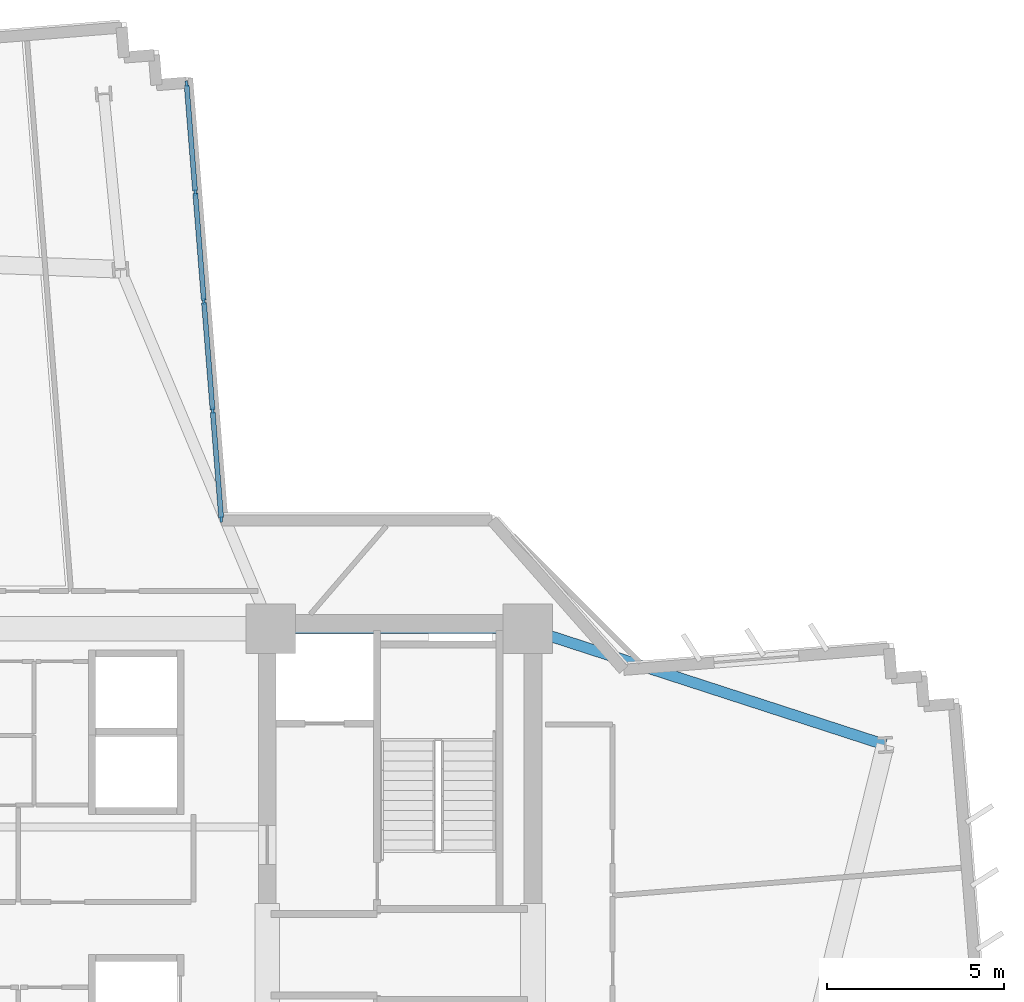
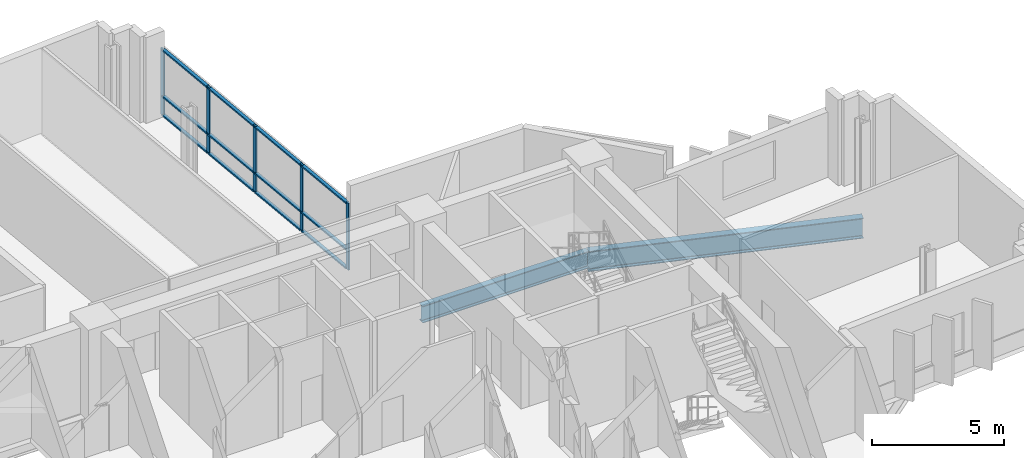
# One storey, part 4 of 15: 17 members, 2 beams, 1 element without a shape of its own.
"""IFC4 building model written with IfcOpenShell, lengths in metres."""

from ifc_helpers import new_model, si_unit, direction, frame, origin, origin_2d, place, context, subcontext, project, spatial, rectangle, i_section, extrude, source, transform, mapped, material, layer, layer_set, material_profile, profile_set, type_object, element, aggregate, save


model = new_model("IFC4")

# Units and contexts
model_context = context("Model", 3, precision=1e-05, world=origin(), true_north=direction((0.0, 1.0)))
body_context = subcontext(model_context, "Body", "Model", "MODEL_VIEW")
ifc_project = project(units=[si_unit("LENGTHUNIT", "METRE"), si_unit("AREAUNIT", "SQUARE_METRE"), si_unit("VOLUMEUNIT", "CUBIC_METRE"), si_unit("PLANEANGLEUNIT", "RADIAN"), si_unit("MASSUNIT", "GRAM", prefix="KILO")], contexts=[model_context])

# Site, building, storey
site_placement = place(None, origin())
site = spatial("IfcSite", under=ifc_project, at=site_placement, CompositionType="ELEMENT")
building_placement = place(site_placement, origin())
building = spatial("IfcBuilding", under=site, at=building_placement, Name="Zahravan Cultural Tower", CompositionType="ELEMENT")
storey_placement = place(building_placement, frame((0.0, 0.0, 79.5)))
storey = spatial("IfcBuildingStorey", under=building, at=storey_placement, Name="L17", CompositionType="ELEMENT", Elevation=79.5)

# Beams
ifc_material_1 = material(Name="Steel ASTM A992 Grade 50", Category="steel")
ifc_material_profile_1 = material_profile(ifc_material_1, i_section(OverallWidth=0.26611328125, OverallDepth=0.780029296875, WebThickness=0.0166015625, FlangeThickness=0.030029296875, FilletRadius=0.01904296875, at=origin_2d()), Name="W30X148")
ifc_profile_set_1 = profile_set([ifc_material_profile_1], Name="Steel ASTM A992 Grade 50")
beam_type_1 = type_object("IfcBeamType", Name="BM-G-W30X148", PredefinedType="BEAM", material=ifc_profile_set_1)
shared_shape_1 = source(origin(), body_context, "Body", "SweptSolid", [
    extrude(i_section(OverallWidth=0.26611328125, OverallDepth=0.780029296875, WebThickness=0.0166015625, FlangeThickness=0.030029296875, FilletRadius=0.01904296875, at=origin_2d()), origin(), (0.0, 0.0, 1.0), 7.25),
])
beam_1_placement = place(storey_placement, frame((43.10009765625, 36.199951171875, -0.639892578125), z_axis=(1.0, 0.0, 0.0), x_axis=(0.0, 1.0, 0.0)))
element("IfcBeam", 1, at=beam_1_placement, inside=storey, type_object=beam_type_1, Name="L17 Beam BG-L17-05", PredefinedType="BEAM", context=body_context, shape_type="MappedRepresentation", body=[
    mapped(shared_shape_1, transform((0.0, 0.0, 0.0), x_axis=(1.0, 0.0, 0.0), y_axis=(0.0, 1.0, 0.0), z_axis=(0.0, 0.0, 1.0), scale=1.0)),
])
ifc_material_profile_2 = material_profile(ifc_material_1, i_section(OverallWidth=0.30908203125, OverallDepth=0.931884765625, WebThickness=0.02099609375, FlangeThickness=0.034423828125, FilletRadius=0.02392578125, at=origin_2d()), Name="W36X210")
ifc_profile_set_2 = profile_set([ifc_material_profile_2], Name="Steel ASTM A992 Grade 50")
beam_type_2 = type_object("IfcBeamType", Name="BM-G-W36X210", PredefinedType="BEAM", material=ifc_profile_set_2)
shared_shape_2 = source(origin(), body_context, "Body", "SweptSolid", [
    extrude(i_section(OverallWidth=0.30908203125, OverallDepth=0.931884765625, WebThickness=0.02099609375, FlangeThickness=0.034423828125, FilletRadius=0.02392578125, at=origin_2d()), origin(), (0.0, 0.0, 1.0), 10.615966796875),
])
beam_2_placement = place(storey_placement, frame((50.35009765625, 36.199951171875, -0.716064453125), z_axis=(0.951063640083, -0.30899506875, 0.0), x_axis=(0.30899506875, 0.951063640083, 0.0)))
element("IfcBeam", 2, at=beam_2_placement, inside=storey, type_object=beam_type_2, Name="L17 Beam BG-L17-11", PredefinedType="BEAM", context=body_context, shape_type="MappedRepresentation", body=[
    mapped(shared_shape_2, transform((0.0, 0.0, 0.0), x_axis=(1.0, 0.0, 0.0), y_axis=(0.0, 1.0, 0.0), z_axis=(0.0, 0.0, 1.0), scale=1.0)),
])

# Curtain wall, members
ifc_material_2 = material(Name="Anodised bronze-aluminium mullion", Category="aluminium")
ifc_layer = layer(ifc_material_2, 0.179931640625)
ifc_layer_set = layer_set([ifc_layer], Name="Anodised bronze-aluminium mullion")
curtain_wall_type = type_object("IfcCurtainWallType", Name="CW-SYS-3", PredefinedType="USERDEFINED", material=ifc_layer_set)
curtain_wall_placement = place(storey_placement, origin())
curtain_wall = element("IfcCurtainWall", 3, at=curtain_wall_placement, inside=storey, type_object=curtain_wall_type, Name="L17 Recessed Curtain Wall CW-3.2", ObjectType="RECESSED GLAZING", PredefinedType="USERDEFINED")
ifc_material_profile_3 = material_profile(ifc_material_2, rectangle(XDim=0.070068359375, YDim=0.179931640625, at=origin_2d()), Name="AL-M70X180")
ifc_profile_set_3 = profile_set([ifc_material_profile_3], Name="Anodised bronze-aluminium mullion")
member_type_1 = type_object("IfcMemberType", Name="CWM-CW-3", PredefinedType="MULLION", material=ifc_profile_set_3)
shared_shape_3 = source(origin(), body_context, "Body", "SweptSolid", [
    extrude(rectangle(XDim=0.070068359375, YDim=0.179931640625, at=origin_2d()), origin(), (0.0, 0.0, 1.0), 3.070068359375),
])
member_1_placement = place(storey_placement, frame((40.720947265625, 51.578125, 0.0), z_axis=(0.0, 0.0, 1.0), x_axis=(0.996834749139, 0.079501464817, 0.0)))
member_1 = element("IfcMember", 4, at=member_1_placement, type_object=member_type_1, Name="CW-3 mullion 1", PredefinedType="MULLION", context=body_context, shape_type="MappedRepresentation", body=[
    mapped(shared_shape_3, transform((0.0, 0.0, 0.0), x_axis=(1.0, 0.0, 0.0), y_axis=(0.0, 1.0, 0.0), z_axis=(0.0, 0.0, 1.0), scale=1.0)),
])
member_2_placement = place(storey_placement, frame((40.964599609375, 48.524658203125, 0.0), z_axis=(0.0, 0.0, 1.0), x_axis=(0.996834749139, 0.079501464817, 0.0)))
member_2 = element("IfcMember", 5, at=member_2_placement, type_object=member_type_1, Name="CW-3 mullion 2", PredefinedType="MULLION", context=body_context, shape_type="MappedRepresentation", body=[
    mapped(shared_shape_3, transform((0.0, 0.0, 0.0), x_axis=(1.0, 0.0, 0.0), y_axis=(0.0, 1.0, 0.0), z_axis=(0.0, 0.0, 1.0), scale=1.0)),
])
member_3_placement = place(storey_placement, frame((41.210693359375, 45.4365234375, 0.0), z_axis=(0.0, 0.0, 1.0), x_axis=(0.996834749139, 0.079501464817, 0.0)))
member_3 = element("IfcMember", 6, at=member_3_placement, type_object=member_type_1, Name="CW-3 mullion 3", PredefinedType="MULLION", context=body_context, shape_type="MappedRepresentation", body=[
    mapped(shared_shape_3, transform((0.0, 0.0, 0.0), x_axis=(1.0, 0.0, 0.0), y_axis=(0.0, 1.0, 0.0), z_axis=(0.0, 0.0, 1.0), scale=1.0)),
])
member_4_placement = place(storey_placement, frame((41.45703125, 42.34814453125, 0.0), z_axis=(0.0, 0.0, 1.0), x_axis=(0.996834749139, 0.079501464817, 0.0)))
member_4 = element("IfcMember", 7, at=member_4_placement, type_object=member_type_1, Name="CW-3 mullion 4", PredefinedType="MULLION", context=body_context, shape_type="MappedRepresentation", body=[
    mapped(shared_shape_3, transform((0.0, 0.0, 0.0), x_axis=(1.0, 0.0, 0.0), y_axis=(0.0, 1.0, 0.0), z_axis=(0.0, 0.0, 1.0), scale=1.0)),
])
member_5_placement = place(storey_placement, frame((41.70068359375, 39.294921875, 0.0), z_axis=(0.0, 0.0, 1.0), x_axis=(0.996834749139, 0.079501464817, 0.0)))
member_5 = element("IfcMember", 8, at=member_5_placement, type_object=member_type_1, Name="CW-3 mullion 5", PredefinedType="MULLION", context=body_context, shape_type="MappedRepresentation", body=[
    mapped(shared_shape_3, transform((0.0, 0.0, 0.0), x_axis=(1.0, 0.0, 0.0), y_axis=(0.0, 1.0, 0.0), z_axis=(0.0, 0.0, 1.0), scale=1.0)),
])
ifc_material_profile_4 = material_profile(ifc_material_2, rectangle(XDim=0.139892578125, YDim=0.070068359375, at=origin_2d()), Name="AL-T70X140")
ifc_profile_set_4 = profile_set([ifc_material_profile_4], Name="Anodised bronze-aluminium mullion")
member_type_2 = type_object("IfcMemberType", Name="CWT-CW-3", PredefinedType="USERDEFINED", material=ifc_profile_set_4)
shared_shape_4 = source(origin(), body_context, "Body", "SweptSolid", [
    extrude(rectangle(XDim=0.139892578125, YDim=0.070068359375, at=origin_2d()), origin(), (0.0, 0.0, 1.0), 2.9931640625),
])
member_6_placement = place(storey_placement, frame((40.723876953125, 51.543212890625, 0.034912109375), z_axis=(0.079446958373, -0.996839094742, 0.0), x_axis=(0.996839094742, 0.079446958373, 0.0)))
member_6 = element("IfcMember", 9, at=member_6_placement, type_object=member_type_2, Name="CW-3 transom 1.1", ObjectType="TRANSOM", PredefinedType="USERDEFINED", context=body_context, shape_type="MappedRepresentation", body=[
    mapped(shared_shape_4, transform((0.0, 0.0, 0.0), x_axis=(1.0, 0.0, 0.0), y_axis=(0.0, 1.0, 0.0), z_axis=(0.0, 0.0, 1.0), scale=1.0)),
])
member_7_placement = place(storey_placement, frame((40.723876953125, 51.543212890625, 0.89990234375), z_axis=(0.079446958373, -0.996839094742, 0.0), x_axis=(0.996839094742, 0.079446958373, 0.0)))
member_7 = element("IfcMember", 10, at=member_7_placement, type_object=member_type_2, Name="CW-3 transom 1.2", ObjectType="TRANSOM", PredefinedType="USERDEFINED", context=body_context, shape_type="MappedRepresentation", body=[
    mapped(shared_shape_4, transform((0.0, 0.0, 0.0), x_axis=(1.0, 0.0, 0.0), y_axis=(0.0, 1.0, 0.0), z_axis=(0.0, 0.0, 1.0), scale=1.0)),
])
member_8_placement = place(storey_placement, frame((40.723876953125, 51.543212890625, 3.034912109375), z_axis=(0.079446958373, -0.996839094742, 0.0), x_axis=(0.996839094742, 0.079446958373, 0.0)))
member_8 = element("IfcMember", 11, at=member_8_placement, type_object=member_type_2, Name="CW-3 transom 1.3", ObjectType="TRANSOM", PredefinedType="USERDEFINED", context=body_context, shape_type="MappedRepresentation", body=[
    mapped(shared_shape_4, transform((0.0, 0.0, 0.0), x_axis=(1.0, 0.0, 0.0), y_axis=(0.0, 1.0, 0.0), z_axis=(0.0, 0.0, 1.0), scale=1.0)),
])
member_9_placement = place(storey_placement, frame((41.4599609375, 42.3134765625, 0.034912109375), z_axis=(0.079446958373, -0.996839094742, 0.0), x_axis=(0.996839094742, 0.079446958373, 0.0)))
member_9 = element("IfcMember", 12, at=member_9_placement, type_object=member_type_2, Name="CW-3 transom 4.1", ObjectType="TRANSOM", PredefinedType="USERDEFINED", context=body_context, shape_type="MappedRepresentation", body=[
    mapped(shared_shape_4, transform((0.0, 0.0, 0.0), x_axis=(1.0, 0.0, 0.0), y_axis=(0.0, 1.0, 0.0), z_axis=(0.0, 0.0, 1.0), scale=1.0)),
])
member_10_placement = place(storey_placement, frame((41.4599609375, 42.3134765625, 0.89990234375), z_axis=(0.079446958373, -0.996839094742, 0.0), x_axis=(0.996839094742, 0.079446958373, 0.0)))
member_10 = element("IfcMember", 13, at=member_10_placement, type_object=member_type_2, Name="CW-3 transom 4.2", ObjectType="TRANSOM", PredefinedType="USERDEFINED", context=body_context, shape_type="MappedRepresentation", body=[
    mapped(shared_shape_4, transform((0.0, 0.0, 0.0), x_axis=(1.0, 0.0, 0.0), y_axis=(0.0, 1.0, 0.0), z_axis=(0.0, 0.0, 1.0), scale=1.0)),
])
member_11_placement = place(storey_placement, frame((41.4599609375, 42.3134765625, 3.034912109375), z_axis=(0.079446958373, -0.996839094742, 0.0), x_axis=(0.996839094742, 0.079446958373, 0.0)))
member_11 = element("IfcMember", 14, at=member_11_placement, type_object=member_type_2, Name="CW-3 transom 4.3", ObjectType="TRANSOM", PredefinedType="USERDEFINED", context=body_context, shape_type="MappedRepresentation", body=[
    mapped(shared_shape_4, transform((0.0, 0.0, 0.0), x_axis=(1.0, 0.0, 0.0), y_axis=(0.0, 1.0, 0.0), z_axis=(0.0, 0.0, 1.0), scale=1.0)),
])
shared_shape_5 = source(origin(), body_context, "Body", "SweptSolid", [
    extrude(rectangle(XDim=0.139892578125, YDim=0.070068359375, at=origin_2d()), origin(), (0.0, 0.0, 1.0), 3.02783203125),
])
member_12_placement = place(storey_placement, frame((40.96728515625, 48.48974609375, 0.034912109375), z_axis=(0.079501661987, -0.996834733414, 0.0), x_axis=(0.996834733414, 0.079501661987, 0.0)))
member_12 = element("IfcMember", 15, at=member_12_placement, type_object=member_type_2, Name="CW-3 transom 2.1", ObjectType="TRANSOM", PredefinedType="USERDEFINED", context=body_context, shape_type="MappedRepresentation", body=[
    mapped(shared_shape_5, transform((0.0, 0.0, 0.0), x_axis=(1.0, 0.0, 0.0), y_axis=(0.0, 1.0, 0.0), z_axis=(0.0, 0.0, 1.0), scale=1.0)),
])
member_13_placement = place(storey_placement, frame((40.96728515625, 48.48974609375, 0.89990234375), z_axis=(0.079501661987, -0.996834733414, 0.0), x_axis=(0.996834733414, 0.079501661987, 0.0)))
member_13 = element("IfcMember", 16, at=member_13_placement, type_object=member_type_2, Name="CW-3 transom 2.2", ObjectType="TRANSOM", PredefinedType="USERDEFINED", context=body_context, shape_type="MappedRepresentation", body=[
    mapped(shared_shape_5, transform((0.0, 0.0, 0.0), x_axis=(1.0, 0.0, 0.0), y_axis=(0.0, 1.0, 0.0), z_axis=(0.0, 0.0, 1.0), scale=1.0)),
])
member_14_placement = place(storey_placement, frame((40.96728515625, 48.48974609375, 3.034912109375), z_axis=(0.079501661987, -0.996834733414, 0.0), x_axis=(0.996834733414, 0.079501661987, 0.0)))
member_14 = element("IfcMember", 17, at=member_14_placement, type_object=member_type_2, Name="CW-3 transom 2.3", ObjectType="TRANSOM", PredefinedType="USERDEFINED", context=body_context, shape_type="MappedRepresentation", body=[
    mapped(shared_shape_5, transform((0.0, 0.0, 0.0), x_axis=(1.0, 0.0, 0.0), y_axis=(0.0, 1.0, 0.0), z_axis=(0.0, 0.0, 1.0), scale=1.0)),
])
shared_shape_6 = source(origin(), body_context, "Body", "SweptSolid", [
    extrude(rectangle(XDim=0.139892578125, YDim=0.070068359375, at=origin_2d()), origin(), (0.0, 0.0, 1.0), 3.028076171875),
])
member_15_placement = place(storey_placement, frame((41.213623046875, 45.401611328125, 0.034912109375), z_axis=(0.079495272531, -0.996835242979, 0.0), x_axis=(0.996835242979, 0.079495272531, 0.0)))
member_15 = element("IfcMember", 18, at=member_15_placement, type_object=member_type_2, Name="CW-3 transom 3.1", ObjectType="TRANSOM", PredefinedType="USERDEFINED", context=body_context, shape_type="MappedRepresentation", body=[
    mapped(shared_shape_6, transform((0.0, 0.0, 0.0), x_axis=(1.0, 0.0, 0.0), y_axis=(0.0, 1.0, 0.0), z_axis=(0.0, 0.0, 1.0), scale=1.0)),
])
member_16_placement = place(storey_placement, frame((41.213623046875, 45.401611328125, 0.89990234375), z_axis=(0.079495272531, -0.996835242979, 0.0), x_axis=(0.996835242979, 0.079495272531, 0.0)))
member_16 = element("IfcMember", 19, at=member_16_placement, type_object=member_type_2, Name="CW-3 transom 3.2", ObjectType="TRANSOM", PredefinedType="USERDEFINED", context=body_context, shape_type="MappedRepresentation", body=[
    mapped(shared_shape_6, transform((0.0, 0.0, 0.0), x_axis=(1.0, 0.0, 0.0), y_axis=(0.0, 1.0, 0.0), z_axis=(0.0, 0.0, 1.0), scale=1.0)),
])
member_17_placement = place(storey_placement, frame((41.213623046875, 45.401611328125, 3.034912109375), z_axis=(0.079495272531, -0.996835242979, 0.0), x_axis=(0.996835242979, 0.079495272531, 0.0)))
member_17 = element("IfcMember", 20, at=member_17_placement, type_object=member_type_2, Name="CW-3 transom 3.3", ObjectType="TRANSOM", PredefinedType="USERDEFINED", context=body_context, shape_type="MappedRepresentation", body=[
    mapped(shared_shape_6, transform((0.0, 0.0, 0.0), x_axis=(1.0, 0.0, 0.0), y_axis=(0.0, 1.0, 0.0), z_axis=(0.0, 0.0, 1.0), scale=1.0)),
])
aggregate(curtain_wall, [member_1, member_2, member_3, member_4, member_5, member_6, member_7, member_8, member_12, member_13, member_14, member_15, member_16, member_17, member_9, member_10, member_11])

save(model, "model.ifc")
